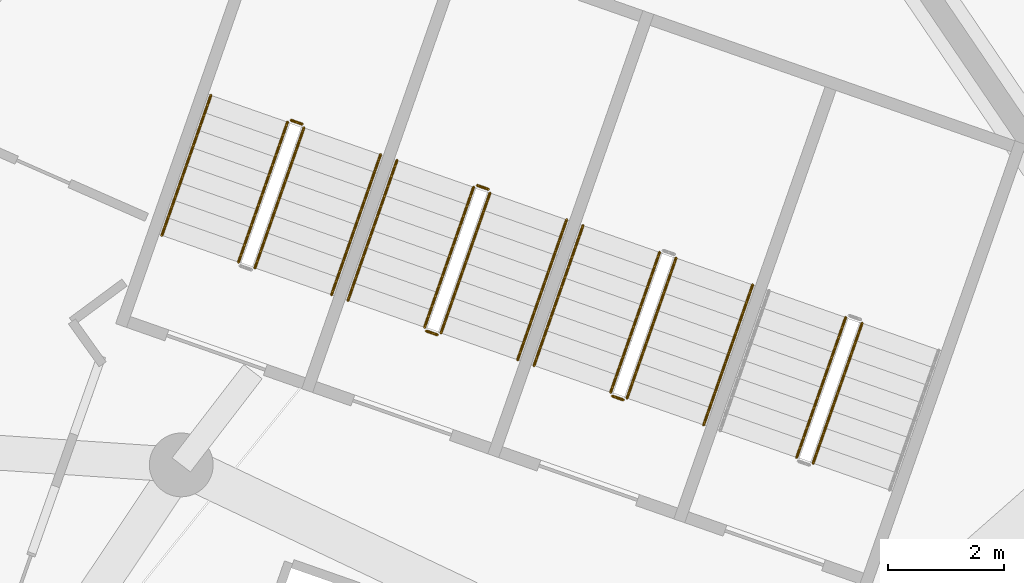
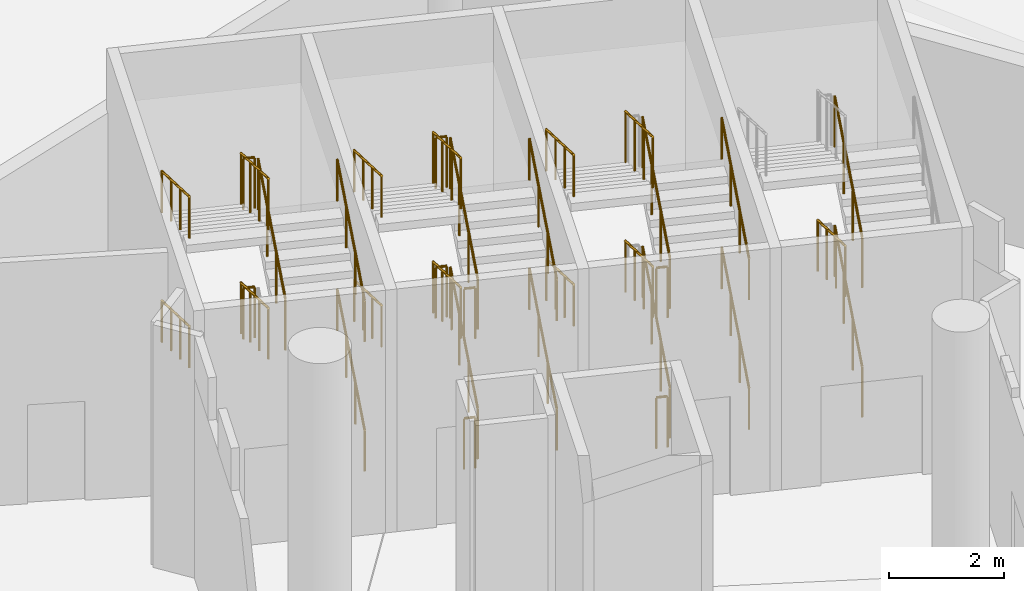
# One storey, part 269 of 271: 34 railings.
"""IFC4 building model written with IfcOpenShell, lengths in metres."""

from ifc_helpers import new_model, si_unit, direction, frame, origin, origin_2d, place, context, subcontext, project, spatial, circle, extrude, material, type_object, element, save


model = new_model("IFC4")

# Units and contexts
model_context = context("Model", 3, precision=1e-05, world=origin(), true_north=direction((0.0, 1.0)))
body_context = subcontext(model_context, "Body", "Model", "MODEL_VIEW")
ifc_project = project(units=[si_unit("LENGTHUNIT", "METRE"), si_unit("AREAUNIT", "SQUARE_METRE"), si_unit("VOLUMEUNIT", "CUBIC_METRE"), si_unit("PLANEANGLEUNIT", "RADIAN"), si_unit("MASSUNIT", "GRAM", prefix="KILO")], contexts=[model_context])

# Site, building, storey
site_placement = place(None, origin())
site = spatial("IfcSite", under=ifc_project, at=site_placement, CompositionType="ELEMENT")
building_placement = place(site_placement, origin())
building = spatial("IfcBuilding", under=site, at=building_placement, Name="Meseta Stadium", CompositionType="ELEMENT")
storey_placement = place(building_placement, frame((0.0, 0.0, 6.5)))
storey = spatial("IfcBuildingStorey", under=building, at=storey_placement, Name="L01", CompositionType="ELEMENT", Elevation=6.5)

# Railings
ifc_material_1 = material(Name="Steel S355", Category="steel")
railing_type_1 = type_object("IfcRailingType", Name="Stair guard 1100", PredefinedType="GUARDRAIL", material=ifc_material_1)
railing_1_placement = place(storey_placement, frame((65.421630859375, 89.608154296875, 0.15283203125)))
element("IfcRailing", 1, at=railing_1_placement, inside=storey, type_object=railing_type_1, Name="ST29 L01 guard 1", PredefinedType="GUARDRAIL", context=body_context, shape_type="SweptSolid", body=[
    extrude(circle(Radius=0.02392578125, at=origin_2d()), frame((0.0, 0.0, 1.076171875), z_axis=(0.298044258026, 0.851788628844, 0.430843071233), x_axis=(-0.943886603116, 0.330269708658, 0.0)), (0.0, 0.0, 1.0), 2.836669921875),
    extrude(circle(Radius=0.02099609375, at=origin_2d()), origin(), (0.0, 0.0, 1.0), 1.052001953125),
    extrude(circle(Radius=0.02099609375, at=origin_2d()), frame((0.28173828125, 0.805419921875, 0.407470703125)), (0.0, 0.0, 1.0), 1.052001953125),
    extrude(circle(Radius=0.02099609375, at=origin_2d()), frame((0.563720703125, 1.61083984375, 0.814697265625)), (0.0, 0.0, 1.0), 1.052001953125),
    extrude(circle(Radius=0.02099609375, at=origin_2d()), frame((0.845458984375, 2.416259765625, 1.22216796875)), (0.0, 0.0, 1.0), 1.052001953125),
])
railing_2_placement = place(storey_placement, frame((65.98388671875, 92.12353515625, 1.52783203125)))
element("IfcRailing", 2, at=railing_2_placement, inside=storey, type_object=railing_type_1, Name="ST29 L01 guard 3", PredefinedType="GUARDRAIL", context=body_context, shape_type="SweptSolid", body=[
    extrude(circle(Radius=0.02392578125, at=origin_2d()), frame((0.0, 0.0, 1.076171875), z_axis=(-0.298044258026, -0.851788628844, 0.430843071233), x_axis=(0.943886603116, -0.330269708658, 0.0)), (0.0, 0.0, 1.0), 2.836669921875),
    extrude(circle(Radius=0.02099609375, at=origin_2d()), origin(), (0.0, 0.0, 1.0), 1.052001953125),
    extrude(circle(Radius=0.02099609375, at=origin_2d()), frame((-0.28173828125, -0.805419921875, 0.407470703125)), (0.0, 0.0, 1.0), 1.052001953125),
    extrude(circle(Radius=0.02099609375, at=origin_2d()), frame((-0.563720703125, -1.61083984375, 0.814697265625)), (0.0, 0.0, 1.0), 1.052001953125),
    extrude(circle(Radius=0.02099609375, at=origin_2d()), frame((-0.845458984375, -2.416259765625, 1.22216796875)), (0.0, 0.0, 1.0), 1.052001953125),
])
railing_3_placement = place(storey_placement, frame((65.421630859375, 89.608154296875, 2.90283203125)))
element("IfcRailing", 3, at=railing_3_placement, inside=storey, type_object=railing_type_1, Name="ST29 L01 guard 5", PredefinedType="GUARDRAIL", context=body_context, shape_type="SweptSolid", body=[
    extrude(circle(Radius=0.02392578125, at=origin_2d()), frame((0.0, 0.0, 1.076171875), z_axis=(0.298044258026, 0.851788628844, 0.430843071233), x_axis=(-0.943886603116, 0.330269708658, 0.0)), (0.0, 0.0, 1.0), 2.836669921875),
    extrude(circle(Radius=0.02099609375, at=origin_2d()), origin(), (0.0, 0.0, 1.0), 1.052001953125),
    extrude(circle(Radius=0.02099609375, at=origin_2d()), frame((0.28173828125, 0.805419921875, 0.407470703125)), (0.0, 0.0, 1.0), 1.052001953125),
    extrude(circle(Radius=0.02099609375, at=origin_2d()), frame((0.563720703125, 1.61083984375, 0.814697265625)), (0.0, 0.0, 1.0), 1.052001953125),
    extrude(circle(Radius=0.02099609375, at=origin_2d()), frame((0.845458984375, 2.416259765625, 1.22216796875)), (0.0, 0.0, 1.0), 1.052001953125),
])
railing_4_placement = place(storey_placement, frame((62.21240234375, 90.73095703125, 0.15283203125)))
element("IfcRailing", 4, at=railing_4_placement, inside=storey, type_object=railing_type_1, Name="ST30 L01 guard 1", PredefinedType="GUARDRAIL", context=body_context, shape_type="SweptSolid", body=[
    extrude(circle(Radius=0.02392578125, at=origin_2d()), frame((0.0, 0.0, 1.076171875), z_axis=(0.298022409857, 0.851812247406, 0.430811488231), x_axis=(-0.943897004595, 0.330239980492, 0.0)), (0.0, 0.0, 1.0), 2.8369140625),
    extrude(circle(Radius=0.02099609375, at=origin_2d()), origin(), (0.0, 0.0, 1.0), 1.052001953125),
    extrude(circle(Radius=0.02099609375, at=origin_2d()), frame((0.28173828125, 0.805419921875, 0.407470703125)), (0.0, 0.0, 1.0), 1.052001953125),
    extrude(circle(Radius=0.02099609375, at=origin_2d()), frame((0.563720703125, 1.611083984375, 0.814697265625)), (0.0, 0.0, 1.0), 1.052001953125),
    extrude(circle(Radius=0.02099609375, at=origin_2d()), frame((0.845458984375, 2.41650390625, 1.22216796875)), (0.0, 0.0, 1.0), 1.052001953125),
])
railing_5_placement = place(storey_placement, frame((62.774658203125, 93.24658203125, 1.52783203125)))
element("IfcRailing", 5, at=railing_5_placement, inside=storey, type_object=railing_type_1, Name="ST30 L01 guard 3", PredefinedType="GUARDRAIL", context=body_context, shape_type="SweptSolid", body=[
    extrude(circle(Radius=0.02392578125, at=origin_2d()), frame((0.0, 0.0, 1.076171875), z_axis=(-0.298022409857, -0.851812247406, 0.430811488231), x_axis=(0.943897004595, -0.330239980492, 0.0)), (0.0, 0.0, 1.0), 2.8369140625),
    extrude(circle(Radius=0.02099609375, at=origin_2d()), origin(), (0.0, 0.0, 1.0), 1.052001953125),
    extrude(circle(Radius=0.02099609375, at=origin_2d()), frame((-0.28173828125, -0.805419921875, 0.407470703125)), (0.0, 0.0, 1.0), 1.052001953125),
    extrude(circle(Radius=0.02099609375, at=origin_2d()), frame((-0.563720703125, -1.611083984375, 0.814697265625)), (0.0, 0.0, 1.0), 1.052001953125),
    extrude(circle(Radius=0.02099609375, at=origin_2d()), frame((-0.845458984375, -2.41650390625, 1.22216796875)), (0.0, 0.0, 1.0), 1.052001953125),
])
railing_6_placement = place(storey_placement, frame((62.148681640625, 90.700439453125, 2.75)))
element("IfcRailing", 6, at=railing_6_placement, inside=storey, type_object=railing_type_1, Name="ST30 L01 guard 4", PredefinedType="GUARDRAIL", context=body_context, shape_type="SweptSolid", body=[
    extrude(circle(Radius=0.02392578125, at=origin_2d()), frame((0.0, 0.0, 1.076171875), z_axis=(-0.944067610699, 0.329751946816, 0.0), x_axis=(-0.329751946816, -0.944067610699, 0.0)), (0.0, 0.0, 1.0), 0.199951171875),
    extrude(circle(Radius=0.02099609375, at=origin_2d()), origin(), (0.0, 0.0, 1.0), 1.052001953125),
    extrude(circle(Radius=0.02099609375, at=origin_2d()), frame((-0.188720703125, 0.06591796875, 0.0)), (0.0, 0.0, 1.0), 1.052001953125),
])
railing_7_placement = place(storey_placement, frame((62.21240234375, 90.73095703125, 2.90283203125)))
element("IfcRailing", 7, at=railing_7_placement, inside=storey, type_object=railing_type_1, Name="ST30 L01 guard 5", PredefinedType="GUARDRAIL", context=body_context, shape_type="SweptSolid", body=[
    extrude(circle(Radius=0.02392578125, at=origin_2d()), frame((0.0, 0.0, 1.076171875), z_axis=(0.298022409857, 0.851812247406, 0.430811488231), x_axis=(-0.943897004595, 0.330239980492, 0.0)), (0.0, 0.0, 1.0), 2.8369140625),
    extrude(circle(Radius=0.02099609375, at=origin_2d()), origin(), (0.0, 0.0, 1.0), 1.052001953125),
    extrude(circle(Radius=0.02099609375, at=origin_2d()), frame((0.28173828125, 0.805419921875, 0.407470703125)), (0.0, 0.0, 1.0), 1.052001953125),
    extrude(circle(Radius=0.02099609375, at=origin_2d()), frame((0.563720703125, 1.611083984375, 0.814697265625)), (0.0, 0.0, 1.0), 1.052001953125),
    extrude(circle(Radius=0.02099609375, at=origin_2d()), frame((0.845458984375, 2.41650390625, 1.22216796875)), (0.0, 0.0, 1.0), 1.052001953125),
])
railing_8_placement = place(storey_placement, frame((62.774658203125, 93.24658203125, 4.27783203125)))
element("IfcRailing", 8, at=railing_8_placement, inside=storey, type_object=railing_type_1, Name="ST30 L01 guard 7", PredefinedType="GUARDRAIL", context=body_context, shape_type="SweptSolid", body=[
    extrude(circle(Radius=0.02392578125, at=origin_2d()), frame((0.0, 0.0, 1.076171875), z_axis=(-0.298022409857, -0.851812247406, 0.430811488231), x_axis=(0.943897004595, -0.330239980492, 0.0)), (0.0, 0.0, 1.0), 2.8369140625),
    extrude(circle(Radius=0.02099609375, at=origin_2d()), origin(), (0.0, 0.0, 1.0), 1.052001953125),
    extrude(circle(Radius=0.02099609375, at=origin_2d()), frame((-0.28173828125, -0.805419921875, 0.407470703125)), (0.0, 0.0, 1.0), 1.052001953125),
    extrude(circle(Radius=0.02099609375, at=origin_2d()), frame((-0.563720703125, -1.611083984375, 0.814697265625)), (0.0, 0.0, 1.0), 1.052001953125),
    extrude(circle(Radius=0.02099609375, at=origin_2d()), frame((-0.845458984375, -2.41650390625, 1.22216796875)), (0.0, 0.0, 1.0), 1.052001953125),
])
railing_9_placement = place(storey_placement, frame((62.148681640625, 90.700439453125, 0.0)))
element("IfcRailing", 9, at=railing_9_placement, inside=storey, type_object=railing_type_1, Name="ST30 L01 guard 8", PredefinedType="GUARDRAIL", context=body_context, shape_type="SweptSolid", body=[
    extrude(circle(Radius=0.02392578125, at=origin_2d()), frame((0.0, 0.0, 1.076171875), z_axis=(-0.944067610699, 0.329751946816, 0.0), x_axis=(-0.329751946816, -0.944067610699, 0.0)), (0.0, 0.0, 1.0), 0.199951171875),
    extrude(circle(Radius=0.02099609375, at=origin_2d()), origin(), (0.0, 0.0, 1.0), 1.052001953125),
    extrude(circle(Radius=0.02099609375, at=origin_2d()), frame((-0.188720703125, 0.06591796875, 0.0)), (0.0, 0.0, 1.0), 1.052001953125),
])
railing_10_placement = place(storey_placement, frame((59.003173828125, 91.85400390625, 0.15283203125)))
element("IfcRailing", 10, at=railing_10_placement, inside=storey, type_object=railing_type_1, Name="ST31 L01 guard 1", PredefinedType="GUARDRAIL", context=body_context, shape_type="SweptSolid", body=[
    extrude(circle(Radius=0.02392578125, at=origin_2d()), frame((0.0, 0.0, 1.076171875), z_axis=(0.298044258026, 0.851788628844, 0.430843071233), x_axis=(-0.943886603116, 0.330269708658, 0.0)), (0.0, 0.0, 1.0), 2.836669921875),
    extrude(circle(Radius=0.02099609375, at=origin_2d()), origin(), (0.0, 0.0, 1.0), 1.052001953125),
    extrude(circle(Radius=0.02099609375, at=origin_2d()), frame((0.28173828125, 0.805419921875, 0.407470703125)), (0.0, 0.0, 1.0), 1.052001953125),
    extrude(circle(Radius=0.02099609375, at=origin_2d()), frame((0.563720703125, 1.61083984375, 0.814697265625)), (0.0, 0.0, 1.0), 1.052001953125),
    extrude(circle(Radius=0.02099609375, at=origin_2d()), frame((0.845458984375, 2.416259765625, 1.22216796875)), (0.0, 0.0, 1.0), 1.052001953125),
])
railing_11_placement = place(storey_placement, frame((59.818115234375, 94.333984375, 1.375)))
element("IfcRailing", 11, at=railing_11_placement, inside=storey, type_object=railing_type_1, Name="ST31 L01 guard 2", PredefinedType="GUARDRAIL", context=body_context, shape_type="SweptSolid", body=[
    extrude(circle(Radius=0.02392578125, at=origin_2d()), frame((0.0, 0.0, 1.076171875), z_axis=(-0.943820328543, 0.330459055601, 0.0), x_axis=(-0.330459055601, -0.943820328543, 0.0)), (0.0, 0.0, 1.0), 0.2001953125),
    extrude(circle(Radius=0.02099609375, at=origin_2d()), origin(), (0.0, 0.0, 1.0), 1.052001953125),
    extrude(circle(Radius=0.02099609375, at=origin_2d()), frame((-0.18896484375, 0.066162109375, 0.0)), (0.0, 0.0, 1.0), 1.052001953125),
])
railing_12_placement = place(storey_placement, frame((59.565673828125, 94.369384765625, 1.52783203125)))
element("IfcRailing", 12, at=railing_12_placement, inside=storey, type_object=railing_type_1, Name="ST31 L01 guard 3", PredefinedType="GUARDRAIL", context=body_context, shape_type="SweptSolid", body=[
    extrude(circle(Radius=0.02392578125, at=origin_2d()), frame((0.0, 0.0, 1.076171875), z_axis=(-0.298122675128, -0.851766777062, 0.430832018387), x_axis=(0.943856869551, -0.330354672742, 0.0)), (0.0, 0.0, 1.0), 2.836669921875),
    extrude(circle(Radius=0.02099609375, at=origin_2d()), origin(), (0.0, 0.0, 1.0), 1.052001953125),
    extrude(circle(Radius=0.02099609375, at=origin_2d()), frame((-0.281982421875, -0.805419921875, 0.407470703125)), (0.0, 0.0, 1.0), 1.052001953125),
    extrude(circle(Radius=0.02099609375, at=origin_2d()), frame((-0.563720703125, -1.61083984375, 0.814697265625)), (0.0, 0.0, 1.0), 1.052001953125),
    extrude(circle(Radius=0.02099609375, at=origin_2d()), frame((-0.845703125, -2.416259765625, 1.22216796875)), (0.0, 0.0, 1.0), 1.052001953125),
])
railing_13_placement = place(storey_placement, frame((58.939453125, 91.8232421875, 2.75)))
element("IfcRailing", 13, at=railing_13_placement, inside=storey, type_object=railing_type_1, Name="ST31 L01 guard 4", PredefinedType="GUARDRAIL", context=body_context, shape_type="SweptSolid", body=[
    extrude(circle(Radius=0.02392578125, at=origin_2d()), frame((0.0, 0.0, 1.076171875), z_axis=(-0.943686935281, 0.330839792317, 0.0), x_axis=(-0.330839792317, -0.943686935281, 0.0)), (0.0, 0.0, 1.0), 0.199951171875),
    extrude(circle(Radius=0.02099609375, at=origin_2d()), origin(), (0.0, 0.0, 1.0), 1.052001953125),
    extrude(circle(Radius=0.02099609375, at=origin_2d()), frame((-0.188720703125, 0.066162109375, 0.0)), (0.0, 0.0, 1.0), 1.052001953125),
])
railing_14_placement = place(storey_placement, frame((59.003173828125, 91.85400390625, 2.90283203125)))
element("IfcRailing", 14, at=railing_14_placement, inside=storey, type_object=railing_type_1, Name="ST31 L01 guard 5", PredefinedType="GUARDRAIL", context=body_context, shape_type="SweptSolid", body=[
    extrude(circle(Radius=0.02392578125, at=origin_2d()), frame((0.0, 0.0, 1.076171875), z_axis=(0.298044258026, 0.851788628844, 0.430843071233), x_axis=(-0.943886603116, 0.330269708658, 0.0)), (0.0, 0.0, 1.0), 2.836669921875),
    extrude(circle(Radius=0.02099609375, at=origin_2d()), origin(), (0.0, 0.0, 1.0), 1.052001953125),
    extrude(circle(Radius=0.02099609375, at=origin_2d()), frame((0.28173828125, 0.805419921875, 0.407470703125)), (0.0, 0.0, 1.0), 1.052001953125),
    extrude(circle(Radius=0.02099609375, at=origin_2d()), frame((0.563720703125, 1.61083984375, 0.814697265625)), (0.0, 0.0, 1.0), 1.052001953125),
    extrude(circle(Radius=0.02099609375, at=origin_2d()), frame((0.845458984375, 2.416259765625, 1.22216796875)), (0.0, 0.0, 1.0), 1.052001953125),
])
railing_15_placement = place(storey_placement, frame((59.818115234375, 94.333984375, 4.125)))
element("IfcRailing", 15, at=railing_15_placement, inside=storey, type_object=railing_type_1, Name="ST31 L01 guard 6", PredefinedType="GUARDRAIL", context=body_context, shape_type="SweptSolid", body=[
    extrude(circle(Radius=0.02392578125, at=origin_2d()), frame((0.0, 0.0, 1.076171875), z_axis=(-0.943820328543, 0.330459055601, 0.0), x_axis=(-0.330459055601, -0.943820328543, 0.0)), (0.0, 0.0, 1.0), 0.2001953125),
    extrude(circle(Radius=0.02099609375, at=origin_2d()), origin(), (0.0, 0.0, 1.0), 1.052001953125),
    extrude(circle(Radius=0.02099609375, at=origin_2d()), frame((-0.18896484375, 0.066162109375, 0.0)), (0.0, 0.0, 1.0), 1.052001953125),
])
railing_16_placement = place(storey_placement, frame((59.565673828125, 94.369384765625, 4.27783203125)))
element("IfcRailing", 16, at=railing_16_placement, inside=storey, type_object=railing_type_1, Name="ST31 L01 guard 7", PredefinedType="GUARDRAIL", context=body_context, shape_type="SweptSolid", body=[
    extrude(circle(Radius=0.02392578125, at=origin_2d()), frame((0.0, 0.0, 1.076171875), z_axis=(-0.298122675128, -0.851766777062, 0.430832018387), x_axis=(0.943856869551, -0.330354672742, 0.0)), (0.0, 0.0, 1.0), 2.836669921875),
    extrude(circle(Radius=0.02099609375, at=origin_2d()), origin(), (0.0, 0.0, 1.0), 1.052001953125),
    extrude(circle(Radius=0.02099609375, at=origin_2d()), frame((-0.281982421875, -0.805419921875, 0.407470703125)), (0.0, 0.0, 1.0), 1.052001953125),
    extrude(circle(Radius=0.02099609375, at=origin_2d()), frame((-0.563720703125, -1.61083984375, 0.814697265625)), (0.0, 0.0, 1.0), 1.052001953125),
    extrude(circle(Radius=0.02099609375, at=origin_2d()), frame((-0.845703125, -2.416259765625, 1.22216796875)), (0.0, 0.0, 1.0), 1.052001953125),
])
for number, where, name in (
    (17, (58.939453125, 91.8232421875, 0.0), "ST31 L01 guard 8"),
    (18, (56.60888671875, 95.45703125, 1.375), "ST32 L01 guard 2"),
):
    element("IfcRailing", number, at=place(storey_placement, frame(where)), inside=storey, type_object=railing_type_1, Name=name, PredefinedType="GUARDRAIL", context=body_context, shape_type="SweptSolid", body=[
        extrude(circle(Radius=0.02392578125, at=origin_2d()), frame((0.0, 0.0, 1.076171875), z_axis=(-0.943686935281, 0.330839792317, 0.0), x_axis=(-0.330839792317, -0.943686935281, 0.0)), (0.0, 0.0, 1.0), 0.199951171875),
        extrude(circle(Radius=0.02099609375, at=origin_2d()), origin(), (0.0, 0.0, 1.0), 1.052001953125),
        extrude(circle(Radius=0.02099609375, at=origin_2d()), frame((-0.188720703125, 0.066162109375, 0.0)), (0.0, 0.0, 1.0), 1.052001953125),
    ])
railing_17_placement = place(storey_placement, frame((56.3564453125, 95.492431640625, 1.52783203125)))
element("IfcRailing", 19, at=railing_17_placement, inside=storey, type_object=railing_type_1, Name="ST32 L01 guard 3", PredefinedType="GUARDRAIL", context=body_context, shape_type="SweptSolid", body=[
    extrude(circle(Radius=0.02392578125, at=origin_2d()), frame((0.0, 0.0, 1.076171875), z_axis=(-0.298122675128, -0.851766777062, 0.430832018387), x_axis=(0.943856869551, -0.330354672742, 0.0)), (0.0, 0.0, 1.0), 2.836669921875),
    extrude(circle(Radius=0.02099609375, at=origin_2d()), origin(), (0.0, 0.0, 1.0), 1.052001953125),
    extrude(circle(Radius=0.02099609375, at=origin_2d()), frame((-0.281982421875, -0.805419921875, 0.407470703125)), (0.0, 0.0, 1.0), 1.052001953125),
    extrude(circle(Radius=0.02099609375, at=origin_2d()), frame((-0.563720703125, -1.61083984375, 0.814697265625)), (0.0, 0.0, 1.0), 1.052001953125),
    extrude(circle(Radius=0.02099609375, at=origin_2d()), frame((-0.845703125, -2.416259765625, 1.22216796875)), (0.0, 0.0, 1.0), 1.052001953125),
])
railing_18_placement = place(storey_placement, frame((55.7939453125, 92.97705078125, 2.90283203125)))
element("IfcRailing", 20, at=railing_18_placement, inside=storey, type_object=railing_type_1, Name="ST32 L01 guard 5", PredefinedType="GUARDRAIL", context=body_context, shape_type="SweptSolid", body=[
    extrude(circle(Radius=0.02392578125, at=origin_2d()), frame((0.0, 0.0, 1.076171875), z_axis=(0.298044258026, 0.851788628844, 0.430843071233), x_axis=(-0.943886603116, 0.330269708658, 0.0)), (0.0, 0.0, 1.0), 2.836669921875),
    extrude(circle(Radius=0.02099609375, at=origin_2d()), origin(), (0.0, 0.0, 1.0), 1.052001953125),
    extrude(circle(Radius=0.02099609375, at=origin_2d()), frame((0.28173828125, 0.805419921875, 0.407470703125)), (0.0, 0.0, 1.0), 1.052001953125),
    extrude(circle(Radius=0.02099609375, at=origin_2d()), frame((0.563720703125, 1.61083984375, 0.814697265625)), (0.0, 0.0, 1.0), 1.052001953125),
    extrude(circle(Radius=0.02099609375, at=origin_2d()), frame((0.845458984375, 2.416259765625, 1.22216796875)), (0.0, 0.0, 1.0), 1.052001953125),
])
railing_19_placement = place(storey_placement, frame((56.60888671875, 95.45703125, 4.125)))
element("IfcRailing", 21, at=railing_19_placement, inside=storey, type_object=railing_type_1, Name="ST32 L01 guard 6", PredefinedType="GUARDRAIL", context=body_context, shape_type="SweptSolid", body=[
    extrude(circle(Radius=0.02392578125, at=origin_2d()), frame((0.0, 0.0, 1.076171875), z_axis=(-0.943686935281, 0.330839792317, 0.0), x_axis=(-0.330839792317, -0.943686935281, 0.0)), (0.0, 0.0, 1.0), 0.199951171875),
    extrude(circle(Radius=0.02099609375, at=origin_2d()), origin(), (0.0, 0.0, 1.0), 1.052001953125),
    extrude(circle(Radius=0.02099609375, at=origin_2d()), frame((-0.188720703125, 0.066162109375, 0.0)), (0.0, 0.0, 1.0), 1.052001953125),
])
railing_20_placement = place(storey_placement, frame((56.3564453125, 95.492431640625, 4.27783203125)))
element("IfcRailing", 22, at=railing_20_placement, inside=storey, type_object=railing_type_1, Name="ST32 L01 guard 7", PredefinedType="GUARDRAIL", context=body_context, shape_type="SweptSolid", body=[
    extrude(circle(Radius=0.02392578125, at=origin_2d()), frame((0.0, 0.0, 1.076171875), z_axis=(-0.298122675128, -0.851766777062, 0.430832018387), x_axis=(0.943856869551, -0.330354672742, 0.0)), (0.0, 0.0, 1.0), 2.836669921875),
    extrude(circle(Radius=0.02099609375, at=origin_2d()), origin(), (0.0, 0.0, 1.0), 1.052001953125),
    extrude(circle(Radius=0.02099609375, at=origin_2d()), frame((-0.281982421875, -0.805419921875, 0.407470703125)), (0.0, 0.0, 1.0), 1.052001953125),
    extrude(circle(Radius=0.02099609375, at=origin_2d()), frame((-0.563720703125, -1.61083984375, 0.814697265625)), (0.0, 0.0, 1.0), 1.052001953125),
    extrude(circle(Radius=0.02099609375, at=origin_2d()), frame((-0.845703125, -2.416259765625, 1.22216796875)), (0.0, 0.0, 1.0), 1.052001953125),
])
ifc_material_2 = material(Name="Steel S355", Category="steel")
railing_type_2 = type_object("IfcRailingType", Name="Stair handrail 900", PredefinedType="HANDRAIL", material=ifc_material_2)
railing_21_placement = place(storey_placement, frame((63.533935546875, 90.268798828125, 0.15283203125)))
element("IfcRailing", 23, at=railing_21_placement, inside=storey, type_object=railing_type_2, Name="ST30 L01 handrail 1", PredefinedType="HANDRAIL", context=body_context, shape_type="SweptSolid", body=[
    extrude(circle(Radius=0.02392578125, at=origin_2d()), frame((0.0, 0.0, 0.8759765625), z_axis=(0.298044258026, 0.851788628844, 0.430843071233), x_axis=(-0.943886603116, 0.330269708658, 0.0)), (0.0, 0.0, 1.0), 2.836669921875),
    extrude(circle(Radius=0.02099609375, at=origin_2d()), origin(), (0.0, 0.0, 1.0), 0.851806640625),
    extrude(circle(Radius=0.02099609375, at=origin_2d()), frame((0.28173828125, 0.805419921875, 0.407470703125)), (0.0, 0.0, 1.0), 0.851806640625),
    extrude(circle(Radius=0.02099609375, at=origin_2d()), frame((0.563720703125, 1.61083984375, 0.814697265625)), (0.0, 0.0, 1.0), 0.851806640625),
    extrude(circle(Radius=0.02099609375, at=origin_2d()), frame((0.845458984375, 2.416259765625, 1.22216796875)), (0.0, 0.0, 1.0), 0.851806640625),
])
railing_22_placement = place(storey_placement, frame((61.453369140625, 93.708984375, 1.52783203125)))
element("IfcRailing", 24, at=railing_22_placement, inside=storey, type_object=railing_type_2, Name="ST30 L01 handrail 2", PredefinedType="HANDRAIL", context=body_context, shape_type="SweptSolid", body=[
    extrude(circle(Radius=0.02392578125, at=origin_2d()), frame((0.0, 0.0, 0.8759765625), z_axis=(-0.298022409857, -0.851812247406, 0.430811488231), x_axis=(0.943897004595, -0.330239980492, 0.0)), (0.0, 0.0, 1.0), 2.8369140625),
    extrude(circle(Radius=0.02099609375, at=origin_2d()), origin(), (0.0, 0.0, 1.0), 0.851806640625),
    extrude(circle(Radius=0.02099609375, at=origin_2d()), frame((-0.28173828125, -0.805419921875, 0.407470703125)), (0.0, 0.0, 1.0), 0.851806640625),
    extrude(circle(Radius=0.02099609375, at=origin_2d()), frame((-0.563720703125, -1.611083984375, 0.814697265625)), (0.0, 0.0, 1.0), 0.851806640625),
    extrude(circle(Radius=0.02099609375, at=origin_2d()), frame((-0.845458984375, -2.41650390625, 1.22216796875)), (0.0, 0.0, 1.0), 0.851806640625),
])
railing_23_placement = place(storey_placement, frame((63.533935546875, 90.268798828125, 2.90283203125)))
element("IfcRailing", 25, at=railing_23_placement, inside=storey, type_object=railing_type_2, Name="ST30 L01 handrail 3", PredefinedType="HANDRAIL", context=body_context, shape_type="SweptSolid", body=[
    extrude(circle(Radius=0.02392578125, at=origin_2d()), frame((0.0, 0.0, 0.8759765625), z_axis=(0.298044258026, 0.851788628844, 0.430843071233), x_axis=(-0.943886603116, 0.330269708658, 0.0)), (0.0, 0.0, 1.0), 2.836669921875),
    extrude(circle(Radius=0.02099609375, at=origin_2d()), origin(), (0.0, 0.0, 1.0), 0.851806640625),
    extrude(circle(Radius=0.02099609375, at=origin_2d()), frame((0.28173828125, 0.805419921875, 0.407470703125)), (0.0, 0.0, 1.0), 0.851806640625),
    extrude(circle(Radius=0.02099609375, at=origin_2d()), frame((0.563720703125, 1.61083984375, 0.814697265625)), (0.0, 0.0, 1.0), 0.851806640625),
    extrude(circle(Radius=0.02099609375, at=origin_2d()), frame((0.845458984375, 2.416259765625, 1.22216796875)), (0.0, 0.0, 1.0), 0.851806640625),
])
railing_24_placement = place(storey_placement, frame((61.453369140625, 93.708984375, 4.27783203125)))
element("IfcRailing", 26, at=railing_24_placement, inside=storey, type_object=railing_type_2, Name="ST30 L01 handrail 4", PredefinedType="HANDRAIL", context=body_context, shape_type="SweptSolid", body=[
    extrude(circle(Radius=0.02392578125, at=origin_2d()), frame((0.0, 0.0, 0.8759765625), z_axis=(-0.298022409857, -0.851812247406, 0.430811488231), x_axis=(0.943897004595, -0.330239980492, 0.0)), (0.0, 0.0, 1.0), 2.8369140625),
    extrude(circle(Radius=0.02099609375, at=origin_2d()), origin(), (0.0, 0.0, 1.0), 0.851806640625),
    extrude(circle(Radius=0.02099609375, at=origin_2d()), frame((-0.28173828125, -0.805419921875, 0.407470703125)), (0.0, 0.0, 1.0), 0.851806640625),
    extrude(circle(Radius=0.02099609375, at=origin_2d()), frame((-0.563720703125, -1.611083984375, 0.814697265625)), (0.0, 0.0, 1.0), 0.851806640625),
    extrude(circle(Radius=0.02099609375, at=origin_2d()), frame((-0.845458984375, -2.41650390625, 1.22216796875)), (0.0, 0.0, 1.0), 0.851806640625),
])
railing_25_placement = place(storey_placement, frame((60.32470703125, 91.3916015625, 0.15283203125)))
element("IfcRailing", 27, at=railing_25_placement, inside=storey, type_object=railing_type_2, Name="ST31 L01 handrail 1", PredefinedType="HANDRAIL", context=body_context, shape_type="SweptSolid", body=[
    extrude(circle(Radius=0.02392578125, at=origin_2d()), frame((0.0, 0.0, 0.8759765625), z_axis=(0.298044258026, 0.851788628844, 0.430843071233), x_axis=(-0.943886603116, 0.330269708658, 0.0)), (0.0, 0.0, 1.0), 2.836669921875),
    extrude(circle(Radius=0.02099609375, at=origin_2d()), origin(), (0.0, 0.0, 1.0), 0.851806640625),
    extrude(circle(Radius=0.02099609375, at=origin_2d()), frame((0.28173828125, 0.805419921875, 0.407470703125)), (0.0, 0.0, 1.0), 0.851806640625),
    extrude(circle(Radius=0.02099609375, at=origin_2d()), frame((0.563720703125, 1.61083984375, 0.814697265625)), (0.0, 0.0, 1.0), 0.851806640625),
    extrude(circle(Radius=0.02099609375, at=origin_2d()), frame((0.845458984375, 2.416259765625, 1.22216796875)), (0.0, 0.0, 1.0), 0.851806640625),
])
railing_26_placement = place(storey_placement, frame((58.244140625, 94.831787109375, 1.52783203125)))
element("IfcRailing", 28, at=railing_26_placement, inside=storey, type_object=railing_type_2, Name="ST31 L01 handrail 2", PredefinedType="HANDRAIL", context=body_context, shape_type="SweptSolid", body=[
    extrude(circle(Radius=0.02392578125, at=origin_2d()), frame((0.0, 0.0, 0.8759765625), z_axis=(-0.298044258026, -0.851788628844, 0.430843071233), x_axis=(0.943886603116, -0.330269708658, 0.0)), (0.0, 0.0, 1.0), 2.836669921875),
    extrude(circle(Radius=0.02099609375, at=origin_2d()), origin(), (0.0, 0.0, 1.0), 0.851806640625),
    extrude(circle(Radius=0.02099609375, at=origin_2d()), frame((-0.28173828125, -0.805419921875, 0.407470703125)), (0.0, 0.0, 1.0), 0.851806640625),
    extrude(circle(Radius=0.02099609375, at=origin_2d()), frame((-0.563720703125, -1.61083984375, 0.814697265625)), (0.0, 0.0, 1.0), 0.851806640625),
    extrude(circle(Radius=0.02099609375, at=origin_2d()), frame((-0.845458984375, -2.416259765625, 1.22216796875)), (0.0, 0.0, 1.0), 0.851806640625),
])
railing_27_placement = place(storey_placement, frame((60.32470703125, 91.3916015625, 2.90283203125)))
element("IfcRailing", 29, at=railing_27_placement, inside=storey, type_object=railing_type_2, Name="ST31 L01 handrail 3", PredefinedType="HANDRAIL", context=body_context, shape_type="SweptSolid", body=[
    extrude(circle(Radius=0.02392578125, at=origin_2d()), frame((0.0, 0.0, 0.8759765625), z_axis=(0.298044258026, 0.851788628844, 0.430843071233), x_axis=(-0.943886603116, 0.330269708658, 0.0)), (0.0, 0.0, 1.0), 2.836669921875),
    extrude(circle(Radius=0.02099609375, at=origin_2d()), origin(), (0.0, 0.0, 1.0), 0.851806640625),
    extrude(circle(Radius=0.02099609375, at=origin_2d()), frame((0.28173828125, 0.805419921875, 0.407470703125)), (0.0, 0.0, 1.0), 0.851806640625),
    extrude(circle(Radius=0.02099609375, at=origin_2d()), frame((0.563720703125, 1.61083984375, 0.814697265625)), (0.0, 0.0, 1.0), 0.851806640625),
    extrude(circle(Radius=0.02099609375, at=origin_2d()), frame((0.845458984375, 2.416259765625, 1.22216796875)), (0.0, 0.0, 1.0), 0.851806640625),
])
railing_28_placement = place(storey_placement, frame((58.244140625, 94.831787109375, 4.27783203125)))
element("IfcRailing", 30, at=railing_28_placement, inside=storey, type_object=railing_type_2, Name="ST31 L01 handrail 4", PredefinedType="HANDRAIL", context=body_context, shape_type="SweptSolid", body=[
    extrude(circle(Radius=0.02392578125, at=origin_2d()), frame((0.0, 0.0, 0.8759765625), z_axis=(-0.298044258026, -0.851788628844, 0.430843071233), x_axis=(0.943886603116, -0.330269708658, 0.0)), (0.0, 0.0, 1.0), 2.836669921875),
    extrude(circle(Radius=0.02099609375, at=origin_2d()), origin(), (0.0, 0.0, 1.0), 0.851806640625),
    extrude(circle(Radius=0.02099609375, at=origin_2d()), frame((-0.28173828125, -0.805419921875, 0.407470703125)), (0.0, 0.0, 1.0), 0.851806640625),
    extrude(circle(Radius=0.02099609375, at=origin_2d()), frame((-0.563720703125, -1.61083984375, 0.814697265625)), (0.0, 0.0, 1.0), 0.851806640625),
    extrude(circle(Radius=0.02099609375, at=origin_2d()), frame((-0.845458984375, -2.416259765625, 1.22216796875)), (0.0, 0.0, 1.0), 0.851806640625),
])
railing_29_placement = place(storey_placement, frame((57.115478515625, 92.5146484375, 0.15283203125)))
element("IfcRailing", 31, at=railing_29_placement, inside=storey, type_object=railing_type_2, Name="ST32 L01 handrail 1", PredefinedType="HANDRAIL", context=body_context, shape_type="SweptSolid", body=[
    extrude(circle(Radius=0.02392578125, at=origin_2d()), frame((0.0, 0.0, 0.8759765625), z_axis=(0.298044258026, 0.851788628844, 0.430843071233), x_axis=(-0.943886603116, 0.330269708658, 0.0)), (0.0, 0.0, 1.0), 2.836669921875),
    extrude(circle(Radius=0.02099609375, at=origin_2d()), origin(), (0.0, 0.0, 1.0), 0.851806640625),
    extrude(circle(Radius=0.02099609375, at=origin_2d()), frame((0.28173828125, 0.805419921875, 0.407470703125)), (0.0, 0.0, 1.0), 0.851806640625),
    extrude(circle(Radius=0.02099609375, at=origin_2d()), frame((0.563720703125, 1.61083984375, 0.814697265625)), (0.0, 0.0, 1.0), 0.851806640625),
    extrude(circle(Radius=0.02099609375, at=origin_2d()), frame((0.845458984375, 2.416259765625, 1.22216796875)), (0.0, 0.0, 1.0), 0.851806640625),
])
railing_30_placement = place(storey_placement, frame((55.034912109375, 95.954833984375, 1.52783203125)))
element("IfcRailing", 32, at=railing_30_placement, inside=storey, type_object=railing_type_2, Name="ST32 L01 handrail 2", PredefinedType="HANDRAIL", context=body_context, shape_type="SweptSolid", body=[
    extrude(circle(Radius=0.02392578125, at=origin_2d()), frame((0.0, 0.0, 0.8759765625), z_axis=(-0.298022409857, -0.851812247406, 0.430811488231), x_axis=(0.943897004595, -0.330239980492, 0.0)), (0.0, 0.0, 1.0), 2.8369140625),
    extrude(circle(Radius=0.02099609375, at=origin_2d()), origin(), (0.0, 0.0, 1.0), 0.851806640625),
    extrude(circle(Radius=0.02099609375, at=origin_2d()), frame((-0.28173828125, -0.805419921875, 0.407470703125)), (0.0, 0.0, 1.0), 0.851806640625),
    extrude(circle(Radius=0.02099609375, at=origin_2d()), frame((-0.563720703125, -1.611083984375, 0.814697265625)), (0.0, 0.0, 1.0), 0.851806640625),
    extrude(circle(Radius=0.02099609375, at=origin_2d()), frame((-0.845458984375, -2.41650390625, 1.22216796875)), (0.0, 0.0, 1.0), 0.851806640625),
])
railing_31_placement = place(storey_placement, frame((57.115478515625, 92.5146484375, 2.90283203125)))
element("IfcRailing", 33, at=railing_31_placement, inside=storey, type_object=railing_type_2, Name="ST32 L01 handrail 3", PredefinedType="HANDRAIL", context=body_context, shape_type="SweptSolid", body=[
    extrude(circle(Radius=0.02392578125, at=origin_2d()), frame((0.0, 0.0, 0.8759765625), z_axis=(0.298044258026, 0.851788628844, 0.430843071233), x_axis=(-0.943886603116, 0.330269708658, 0.0)), (0.0, 0.0, 1.0), 2.836669921875),
    extrude(circle(Radius=0.02099609375, at=origin_2d()), origin(), (0.0, 0.0, 1.0), 0.851806640625),
    extrude(circle(Radius=0.02099609375, at=origin_2d()), frame((0.28173828125, 0.805419921875, 0.407470703125)), (0.0, 0.0, 1.0), 0.851806640625),
    extrude(circle(Radius=0.02099609375, at=origin_2d()), frame((0.563720703125, 1.61083984375, 0.814697265625)), (0.0, 0.0, 1.0), 0.851806640625),
    extrude(circle(Radius=0.02099609375, at=origin_2d()), frame((0.845458984375, 2.416259765625, 1.22216796875)), (0.0, 0.0, 1.0), 0.851806640625),
])
railing_32_placement = place(storey_placement, frame((55.034912109375, 95.954833984375, 4.27783203125)))
element("IfcRailing", 34, at=railing_32_placement, inside=storey, type_object=railing_type_2, Name="ST32 L01 handrail 4", PredefinedType="HANDRAIL", context=body_context, shape_type="SweptSolid", body=[
    extrude(circle(Radius=0.02392578125, at=origin_2d()), frame((0.0, 0.0, 0.8759765625), z_axis=(-0.298022409857, -0.851812247406, 0.430811488231), x_axis=(0.943897004595, -0.330239980492, 0.0)), (0.0, 0.0, 1.0), 2.8369140625),
    extrude(circle(Radius=0.02099609375, at=origin_2d()), origin(), (0.0, 0.0, 1.0), 0.851806640625),
    extrude(circle(Radius=0.02099609375, at=origin_2d()), frame((-0.28173828125, -0.805419921875, 0.407470703125)), (0.0, 0.0, 1.0), 0.851806640625),
    extrude(circle(Radius=0.02099609375, at=origin_2d()), frame((-0.563720703125, -1.611083984375, 0.814697265625)), (0.0, 0.0, 1.0), 0.851806640625),
    extrude(circle(Radius=0.02099609375, at=origin_2d()), frame((-0.845458984375, -2.41650390625, 1.22216796875)), (0.0, 0.0, 1.0), 0.851806640625),
])

save(model, "model.ifc")
